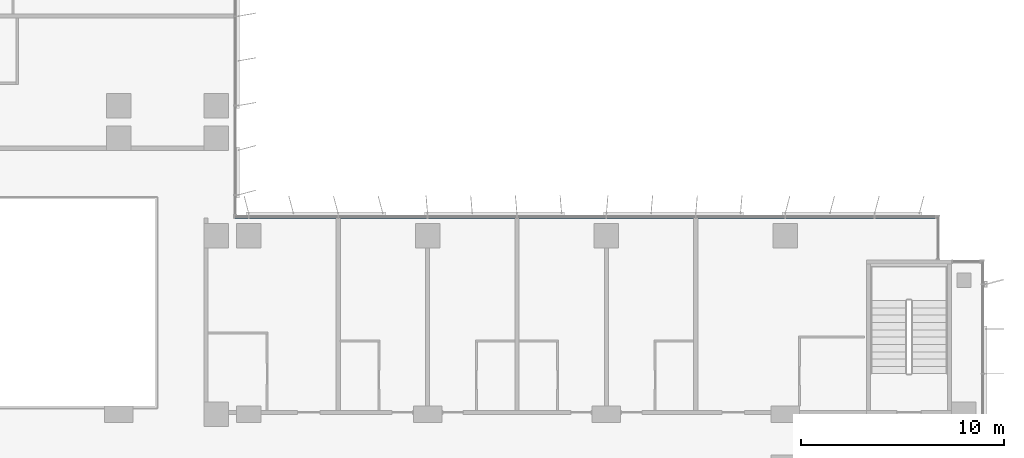
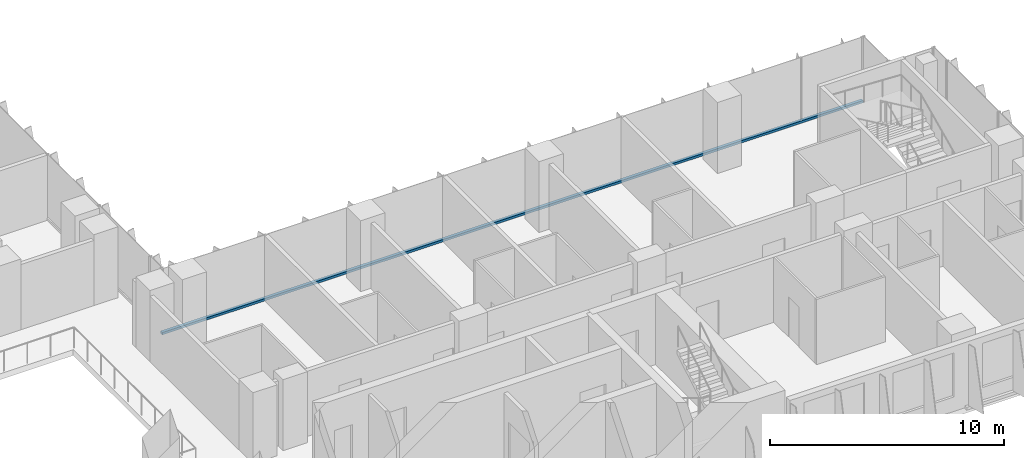
# One storey, part 3 of 23: 1 member, 1 element without a shape of its own.
"""IFC4 building model written with IfcOpenShell, lengths in metres."""

from ifc_helpers import new_model, si_unit, direction, frame, origin, origin_2d, place, context, subcontext, project, spatial, rectangle, extrude, material, material_profile, profile_set, type_object, element, aggregate, save


model = new_model("IFC4")

# Units and contexts
model_context = context("Model", 3, precision=1e-05, world=origin(), true_north=direction((0.0, 1.0)))
body_context = subcontext(model_context, "Body", "Model", "MODEL_VIEW")
ifc_project = project(units=[si_unit("LENGTHUNIT", "METRE"), si_unit("AREAUNIT", "SQUARE_METRE"), si_unit("VOLUMEUNIT", "CUBIC_METRE"), si_unit("PLANEANGLEUNIT", "RADIAN"), si_unit("MASSUNIT", "GRAM", prefix="KILO")], contexts=[model_context])

# Site, building, storey
site_placement = place(None, origin())
site = spatial("IfcSite", under=ifc_project, at=site_placement, CompositionType="ELEMENT")
building_placement = place(site_placement, origin())
building = spatial("IfcBuilding", under=site, at=building_placement, Name="Kemantara Hotel Tower", CompositionType="ELEMENT")
storey_placement = place(building_placement, frame((0.0, 0.0, 138.300048828125)))
storey = spatial("IfcBuildingStorey", under=building, at=storey_placement, Name="L33", CompositionType="ELEMENT", Elevation=138.300048828125)

# Curtain wall, member
ifc_material_1 = material(Name="Low-E tinted double insulated glass 36 mm", Category="glass")
curtain_wall_type = type_object("IfcCurtainWallType", Name="TOWER CURTAIN WALL, FRONT FACES", PredefinedType="USERDEFINED", material=ifc_material_1)
curtain_wall_placement = place(storey_placement, origin())
curtain_wall = element("IfcCurtainWall", 1, at=curtain_wall_placement, inside=storey, type_object=curtain_wall_type, Name="CW4 L33 T2-R13-1", ObjectType="TOWER CURTAIN WALL, FRONT FACES", PredefinedType="USERDEFINED")
ifc_material_2 = material(Name="Aluminium 6063-T6 bronze anodised", Category="aluminium")
ifc_material_profile = material_profile(ifc_material_2, rectangle(XDim=0.14990234375, YDim=0.1201171875, at=origin_2d()), Name="TOWER CURTAIN WALL, FRONT FACES TRANSOM")
ifc_profile_set = profile_set([ifc_material_profile], Name="Aluminium 6063-T6 bronze anodised")
member_type = type_object("IfcMemberType", Name="TOWER CURTAIN WALL, FRONT FACES TRANSOM", PredefinedType="USERDEFINED", material=ifc_profile_set)
member_placement = place(storey_placement, frame((61.25, 21.925048828125, 0.06005859375), z_axis=(-1.0, 0.0, 0.0), x_axis=(0.0, -1.0, 0.0)))
member = element("IfcMember", 2, at=member_placement, type_object=member_type, Name="CW4 sill transom T2-R13-1", ObjectType="TRANSOM", PredefinedType="USERDEFINED", context=body_context, shape_type="SweptSolid", body=[
    extrude(rectangle(XDim=0.14990234375, YDim=0.1201171875, at=origin_2d()), origin(), (0.0, 0.0, 1.0), 34.60009765625),
])
aggregate(curtain_wall, [member])

save(model, "model.ifc")
